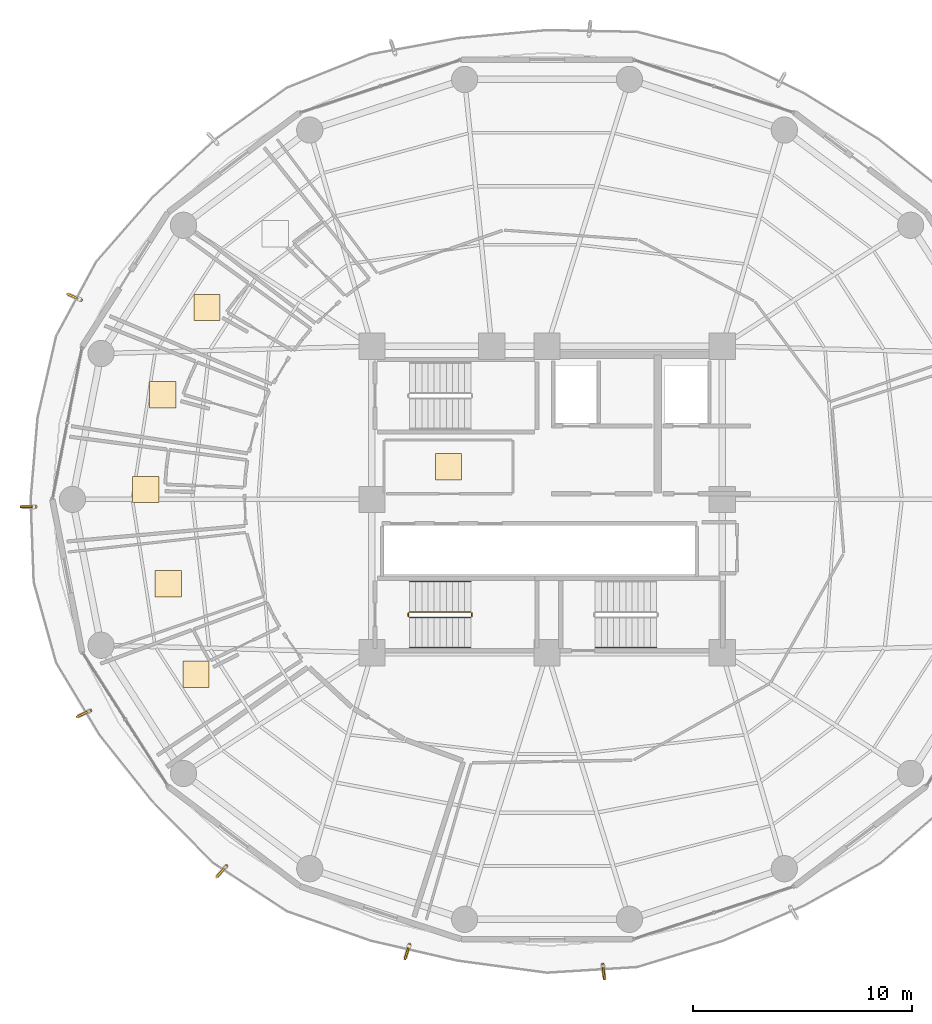
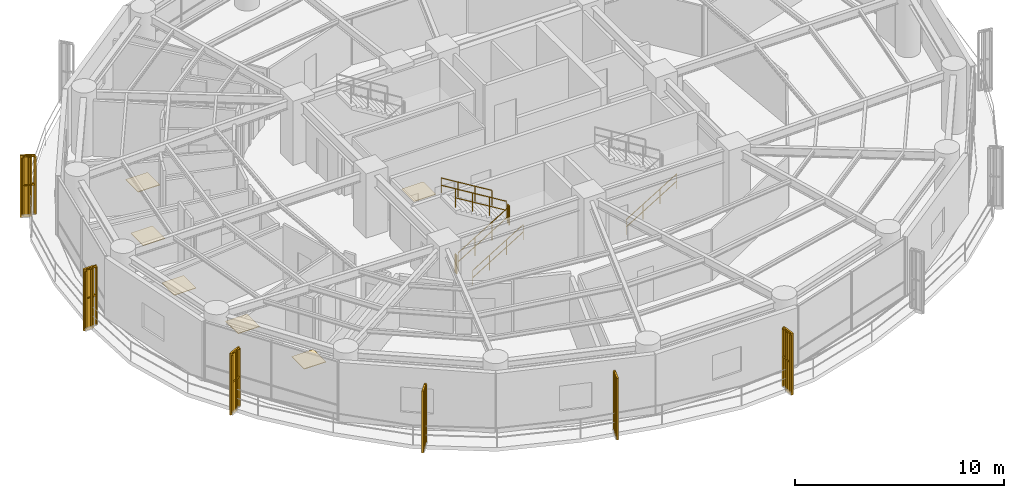
# One storey, part 25 of 27: 13 railings, 6 coverings, 6 shading devices.
"""IFC4 building model written with IfcOpenShell, lengths in metres."""

from ifc_helpers import new_model, si_unit, direction, frame, origin, origin_2d, place, context, subcontext, project, spatial, polyline, rectangle, outline, extrude, source, transform, mapped, material, layer, layer_set, type_object, element, save


model = new_model("IFC4")

# Units and contexts
model_context = context("Model", 3, precision=1e-05, world=origin(), true_north=direction((0.0, 1.0)))
body_context = subcontext(model_context, "Body", "Model", "MODEL_VIEW")
ifc_project = project(units=[si_unit("LENGTHUNIT", "METRE"), si_unit("AREAUNIT", "SQUARE_METRE"), si_unit("VOLUMEUNIT", "CUBIC_METRE"), si_unit("PLANEANGLEUNIT", "RADIAN"), si_unit("MASSUNIT", "GRAM", prefix="KILO")], contexts=[model_context])

# Site, building, storey
site_placement = place(None, origin())
site = spatial("IfcSite", under=ifc_project, at=site_placement, CompositionType="ELEMENT")
building_placement = place(site_placement, origin())
building = spatial("IfcBuilding", under=site, at=building_placement, Name="Kelanora Arch Commons", CompositionType="ELEMENT")
storey_placement = place(building_placement, frame((0.0, 0.0, 169.35009765625)))
storey = spatial("IfcBuildingStorey", under=building, at=storey_placement, Name="L43", CompositionType="ELEMENT", Elevation=169.35009765625)

# Railings
ifc_material_1 = material(Name="Anodised bronze vertical shading fin rib assembly")
railing_type_1 = type_object("IfcRailingType", Name="RAIL-FIN-BRZ", PredefinedType="BALUSTRADE", material=ifc_material_1)
railing_1_placement = place(storey_placement, frame((52.712890625, 67.1123046875, -0.02001953125)))
element("IfcRailing", 1, at=railing_1_placement, inside=storey, type_object=railing_type_1, Name="Sweeping Bronze Vertical Fin Blade L43-07", PredefinedType="BALUSTRADE", context=body_context, shape_type="SweptSolid", body=[
    extrude(outline(polyline([(0.06982421875, 0.0), (0.034912109375, 0.060546875), (-0.034912109375, 0.060546875), (-0.06982421875, 0.0), (-0.034912109375, -0.060546875), (0.034912109375, -0.060546875), (0.06982421875, 0.0)])), frame((0.0, 0.0, 3.419921875), z_axis=(-0.919420554622, 0.393275785853, 0.0), x_axis=(-0.393275785853, -0.919420554622, 0.0)), (0.0, 0.0, 1.0), 0.59521484375),
    extrude(outline(polyline([(0.06982421875, 0.0), (0.034912109375, 0.060546875), (-0.034912109375, 0.060546875), (-0.06982421875, 0.0), (-0.034912109375, -0.060546875), (0.034912109375, -0.060546875), (0.06982421875, 0.0)])), frame((0.0, 0.0, 1.7451171875), z_axis=(-0.919420554622, 0.393275785853, 0.0), x_axis=(-0.393275785853, -0.919420554622, 0.0)), (0.0, 0.0, 1.0), 0.59521484375),
    extrude(outline(polyline([(0.080078125, 0.0), (0.0400390625, 0.0693359375), (-0.0400390625, 0.0693359375), (-0.080078125, 0.0), (-0.0400390625, -0.0693359375), (0.0400390625, -0.0693359375), (0.080078125, 0.0)])), origin(), (0.0, 0.0, 1.0), 3.35009765625),
    extrude(outline(polyline([(0.080078125, 0.0), (0.0400390625, 0.0693359375), (-0.0400390625, 0.0693359375), (-0.080078125, 0.0), (-0.0400390625, -0.0693359375), (0.0400390625, -0.0693359375), (0.080078125, 0.0)])), frame((-0.273681640625, 0.1171875, 0.0)), (0.0, 0.0, 1.0), 3.35009765625),
    extrude(outline(polyline([(0.080078125, 0.0), (0.0400390625, 0.0693359375), (-0.0400390625, 0.0693359375), (-0.080078125, 0.0), (-0.0400390625, -0.0693359375), (0.0400390625, -0.0693359375), (0.080078125, 0.0)])), frame((-0.54736328125, 0.234130859375, 0.0)), (0.0, 0.0, 1.0), 3.35009765625),
])
railing_2_placement = place(storey_placement, frame((50.642578125, 57.6630859375, -0.02001953125)))
element("IfcRailing", 2, at=railing_2_placement, inside=storey, type_object=railing_type_1, Name="Sweeping Bronze Vertical Fin Blade L43-08", PredefinedType="BALUSTRADE", context=body_context, shape_type="SweptSolid", body=[
    extrude(outline(polyline([(0.06982421875, 0.0), (0.034912109375, 0.060546875), (-0.034912109375, 0.060546875), (-0.06982421875, 0.0), (-0.034912109375, -0.060546875), (0.034912109375, -0.060546875), (0.06982421875, 0.0)])), frame((0.0, 0.0, 3.419921875), z_axis=(-0.999902850416, -0.013938785123, 0.0), x_axis=(0.013938785123, -0.999902850416, 0.0)), (0.0, 0.0, 1.0), 0.595458984375),
    extrude(outline(polyline([(0.06982421875, 0.0), (0.034912109375, 0.060546875), (-0.034912109375, 0.060546875), (-0.06982421875, 0.0), (-0.034912109375, -0.060546875), (0.034912109375, -0.060546875), (0.06982421875, 0.0)])), frame((0.0, 0.0, 1.7451171875), z_axis=(-0.999902850416, -0.013938785123, 0.0), x_axis=(0.013938785123, -0.999902850416, 0.0)), (0.0, 0.0, 1.0), 0.595458984375),
    extrude(outline(polyline([(0.080078125, 0.0), (0.0400390625, 0.0693359375), (-0.0400390625, 0.0693359375), (-0.080078125, 0.0), (-0.0400390625, -0.0693359375), (0.0400390625, -0.0693359375), (0.080078125, 0.0)])), origin(), (0.0, 0.0, 1.0), 3.35009765625),
    extrude(outline(polyline([(0.080078125, 0.0), (0.0400390625, 0.0693359375), (-0.0400390625, 0.0693359375), (-0.080078125, 0.0), (-0.0400390625, -0.0693359375), (0.0400390625, -0.0693359375), (0.080078125, 0.0)])), frame((-0.2978515625, -0.004150390625, 0.0)), (0.0, 0.0, 1.0), 3.35009765625),
    extrude(outline(polyline([(0.080078125, 0.0), (0.0400390625, 0.0693359375), (-0.0400390625, 0.0693359375), (-0.080078125, 0.0), (-0.0400390625, -0.0693359375), (0.0400390625, -0.0693359375), (0.080078125, 0.0)])), frame((-0.595458984375, -0.00830078125, 0.0)), (0.0, 0.0, 1.0), 3.35009765625),
])
railing_3_placement = place(storey_placement, frame((53.143310546875, 48.351318359375, -0.02001953125)))
element("IfcRailing", 3, at=railing_3_placement, inside=storey, type_object=railing_type_1, Name="Sweeping Bronze Vertical Fin Blade L43-09", PredefinedType="BALUSTRADE", context=body_context, shape_type="SweptSolid", body=[
    extrude(outline(polyline([(0.06982421875, 0.0), (0.034912109375, 0.060546875), (-0.034912109375, 0.060546875), (-0.06982421875, 0.0), (-0.034912109375, -0.060546875), (0.034912109375, -0.060546875), (0.06982421875, 0.0)])), frame((0.0, 0.0, 3.419921875), z_axis=(-0.907623135978, -0.41978594907, 0.0), x_axis=(0.41978594907, -0.907623135978, 0.0)), (0.0, 0.0, 1.0), 0.595458984375),
    extrude(outline(polyline([(0.06982421875, 0.0), (0.034912109375, 0.060546875), (-0.034912109375, 0.060546875), (-0.06982421875, 0.0), (-0.034912109375, -0.060546875), (0.034912109375, -0.060546875), (0.06982421875, 0.0)])), frame((0.0, 0.0, 1.7451171875), z_axis=(-0.907623135978, -0.41978594907, 0.0), x_axis=(0.41978594907, -0.907623135978, 0.0)), (0.0, 0.0, 1.0), 0.595458984375),
    extrude(outline(polyline([(0.080078125, 0.0), (0.0400390625, 0.0693359375), (-0.0400390625, 0.0693359375), (-0.080078125, 0.0), (-0.0400390625, -0.0693359375), (0.0400390625, -0.0693359375), (0.080078125, 0.0)])), origin(), (0.0, 0.0, 1.0), 3.35009765625),
    extrude(outline(polyline([(0.080078125, 0.0), (0.0400390625, 0.0693359375), (-0.0400390625, 0.0693359375), (-0.080078125, 0.0), (-0.0400390625, -0.0693359375), (0.0400390625, -0.0693359375), (0.080078125, 0.0)])), frame((-0.270263671875, -0.125, 0.0)), (0.0, 0.0, 1.0), 3.35009765625),
    extrude(outline(polyline([(0.080078125, 0.0), (0.0400390625, 0.0693359375), (-0.0400390625, 0.0693359375), (-0.080078125, 0.0), (-0.0400390625, -0.0693359375), (0.0400390625, -0.0693359375), (0.080078125, 0.0)])), frame((-0.54052734375, -0.25, 0.0)), (0.0, 0.0, 1.0), 3.35009765625),
])
railing_4_placement = place(storey_placement, frame((59.3564453125, 41.257568359375, -0.02001953125)))
element("IfcRailing", 4, at=railing_4_placement, inside=storey, type_object=railing_type_1, Name="Sweeping Bronze Vertical Fin Blade L43-10", PredefinedType="BALUSTRADE", context=body_context, shape_type="SweptSolid", body=[
    extrude(outline(polyline([(0.06982421875, 0.0), (0.034912109375, 0.060546875), (-0.034912109375, 0.060546875), (-0.06982421875, 0.0), (-0.034912109375, -0.060546875), (0.034912109375, -0.060546875), (0.06982421875, 0.0)])), frame((0.0, 0.0, 3.419921875), z_axis=(-0.658185389777, -0.752855891047, 0.0), x_axis=(0.752855891047, -0.658185389777, 0.0)), (0.0, 0.0, 1.0), 0.595703125),
    extrude(outline(polyline([(0.06982421875, 0.0), (0.034912109375, 0.060546875), (-0.034912109375, 0.060546875), (-0.06982421875, 0.0), (-0.034912109375, -0.060546875), (0.034912109375, -0.060546875), (0.06982421875, 0.0)])), frame((0.0, 0.0, 1.7451171875), z_axis=(-0.658185389777, -0.752855891047, 0.0), x_axis=(0.752855891047, -0.658185389777, 0.0)), (0.0, 0.0, 1.0), 0.595703125),
    extrude(outline(polyline([(0.080078125, 0.0), (0.0400390625, 0.0693359375), (-0.0400390625, 0.0693359375), (-0.080078125, 0.0), (-0.0400390625, -0.0693359375), (0.0400390625, -0.0693359375), (0.080078125, 0.0)])), origin(), (0.0, 0.0, 1.0), 3.35009765625),
    extrude(outline(polyline([(0.080078125, 0.0), (0.0400390625, 0.0693359375), (-0.0400390625, 0.0693359375), (-0.080078125, 0.0), (-0.0400390625, -0.0693359375), (0.0400390625, -0.0693359375), (0.080078125, 0.0)])), frame((-0.196044921875, -0.22412109375, 0.0)), (0.0, 0.0, 1.0), 3.35009765625),
    extrude(outline(polyline([(0.080078125, 0.0), (0.0400390625, 0.0693359375), (-0.0400390625, 0.0693359375), (-0.080078125, 0.0), (-0.0400390625, -0.0693359375), (0.0400390625, -0.0693359375), (0.080078125, 0.0)])), frame((-0.39208984375, -0.448486328125, 0.0)), (0.0, 0.0, 1.0), 3.35009765625),
])
railing_5_placement = place(storey_placement, frame((67.715087890625, 37.6640625, -0.02001953125)))
element("IfcRailing", 5, at=railing_5_placement, inside=storey, type_object=railing_type_1, Name="Sweeping Bronze Vertical Fin Blade L43-11", PredefinedType="BALUSTRADE", context=body_context, shape_type="SweptSolid", body=[
    extrude(outline(polyline([(0.06982421875, 0.0), (0.034912109375, 0.060546875), (-0.034912109375, 0.060546875), (-0.06982421875, 0.0), (-0.034912109375, -0.060546875), (0.034912109375, -0.060546875), (0.06982421875, 0.0)])), frame((0.0, 0.0, 3.419921875), z_axis=(-0.295122592988, -0.955459394798, 0.0), x_axis=(0.955459394798, -0.295122592988, 0.0)), (0.0, 0.0, 1.0), 0.595703125),
    extrude(outline(polyline([(0.06982421875, 0.0), (0.034912109375, 0.060546875), (-0.034912109375, 0.060546875), (-0.06982421875, 0.0), (-0.034912109375, -0.060546875), (0.034912109375, -0.060546875), (0.06982421875, 0.0)])), frame((0.0, 0.0, 1.7451171875), z_axis=(-0.295122592988, -0.955459394798, 0.0), x_axis=(0.955459394798, -0.295122592988, 0.0)), (0.0, 0.0, 1.0), 0.595703125),
    extrude(outline(polyline([(0.080078125, 0.0), (0.0400390625, 0.0693359375), (-0.0400390625, 0.0693359375), (-0.080078125, 0.0), (-0.0400390625, -0.0693359375), (0.0400390625, -0.0693359375), (0.080078125, 0.0)])), origin(), (0.0, 0.0, 1.0), 3.35009765625),
    extrude(outline(polyline([(0.080078125, 0.0), (0.0400390625, 0.0693359375), (-0.0400390625, 0.0693359375), (-0.080078125, 0.0), (-0.0400390625, -0.0693359375), (0.0400390625, -0.0693359375), (0.080078125, 0.0)])), frame((-0.087890625, -0.28466796875, 0.0)), (0.0, 0.0, 1.0), 3.35009765625),
    extrude(outline(polyline([(0.080078125, 0.0), (0.0400390625, 0.0693359375), (-0.0400390625, 0.0693359375), (-0.080078125, 0.0), (-0.0400390625, -0.0693359375), (0.0400390625, -0.0693359375), (0.080078125, 0.0)])), frame((-0.17578125, -0.569091796875, 0.0)), (0.0, 0.0, 1.0), 3.35009765625),
])
railing_6_placement = place(storey_placement, frame((76.5419921875, 36.763427734375, -0.02001953125)))
element("IfcRailing", 6, at=railing_6_placement, inside=storey, type_object=railing_type_1, Name="Sweeping Bronze Vertical Fin Blade L43-12", PredefinedType="BALUSTRADE", context=body_context, shape_type="SweptSolid", body=[
    extrude(outline(polyline([(0.06982421875, 0.0), (0.034912109375, 0.060546875), (-0.034912109375, 0.060546875), (-0.06982421875, 0.0), (-0.034912109375, -0.060546875), (0.034912109375, -0.060546875), (0.06982421875, 0.0)])), frame((0.0, 0.0, 3.419921875), z_axis=(0.118886570713, -0.992907842302, 0.0), x_axis=(0.992907842302, 0.118886570713, 0.0)), (0.0, 0.0, 1.0), 0.595458984375),
    extrude(outline(polyline([(0.06982421875, 0.0), (0.034912109375, 0.060546875), (-0.034912109375, 0.060546875), (-0.06982421875, 0.0), (-0.034912109375, -0.060546875), (0.034912109375, -0.060546875), (0.06982421875, 0.0)])), frame((0.0, 0.0, 1.7451171875), z_axis=(0.118886570713, -0.992907842302, 0.0), x_axis=(0.992907842302, 0.118886570713, 0.0)), (0.0, 0.0, 1.0), 0.595458984375),
    extrude(outline(polyline([(0.080078125, 0.0), (0.0400390625, 0.0693359375), (-0.0400390625, 0.0693359375), (-0.080078125, 0.0), (-0.0400390625, -0.0693359375), (0.0400390625, -0.0693359375), (0.080078125, 0.0)])), origin(), (0.0, 0.0, 1.0), 3.35009765625),
    extrude(outline(polyline([(0.080078125, 0.0), (0.0400390625, 0.0693359375), (-0.0400390625, 0.0693359375), (-0.080078125, 0.0), (-0.0400390625, -0.0693359375), (0.0400390625, -0.0693359375), (0.080078125, 0.0)])), frame((0.035400390625, -0.295654296875, 0.0)), (0.0, 0.0, 1.0), 3.35009765625),
    extrude(outline(polyline([(0.080078125, 0.0), (0.0400390625, 0.0693359375), (-0.0400390625, 0.0693359375), (-0.080078125, 0.0), (-0.0400390625, -0.0693359375), (0.0400390625, -0.0693359375), (0.080078125, 0.0)])), frame((0.07080078125, -0.59130859375, 0.0)), (0.0, 0.0, 1.0), 3.35009765625),
])
ifc_material_2 = material(Name="Painted steel stair well guard", Category="steel")
railing_type_2 = type_object("IfcRailingType", Name="RAIL-STAIR-GRD", PredefinedType="GUARDRAIL", material=ifc_material_2)
railing_7_placement = place(storey_placement, frame((67.719970703125, 52.610107421875, 0.17041015625)))
element("IfcRailing", 7, at=railing_7_placement, inside=storey, type_object=railing_type_2, Name="L43 ST-T3 stair guard 1", PredefinedType="GUARDRAIL", context=body_context, shape_type="SweptSolid", body=[
    extrude(outline(polyline([(0.02392578125, 0.0), (0.011962890625, 0.020751953125), (-0.011962890625, 0.020751953125), (-0.02392578125, 0.0), (-0.011962890625, -0.020751953125), (0.011962890625, -0.020751953125), (0.02392578125, 0.0)])), frame((0.0, 0.0, 1.076171875), z_axis=(0.854169791009, 0.0, 0.51999420009), x_axis=(0.0, 1.0, 0.0)), (0.0, 0.0, 1.0), 3.278076171875),
    extrude(outline(polyline([(0.02392578125, 0.0), (0.011962890625, 0.020751953125), (-0.011962890625, 0.020751953125), (-0.02392578125, 0.0), (-0.011962890625, -0.020751953125), (0.011962890625, -0.020751953125), (0.02392578125, 0.0)])), frame((0.0, 0.0, 0.550048828125), z_axis=(0.854169791009, 0.0, 0.51999420009), x_axis=(0.0, 1.0, 0.0)), (0.0, 0.0, 1.0), 3.278076171875),
    extrude(outline(polyline([(0.02099609375, 0.0), (0.010498046875, 0.01806640625), (-0.010498046875, 0.01806640625), (-0.02099609375, 0.0), (-0.010498046875, -0.01806640625), (0.010498046875, -0.01806640625), (0.02099609375, 0.0)])), origin(), (0.0, 0.0, 1.0), 1.052001953125),
    extrude(outline(polyline([(0.02099609375, 0.0), (0.010498046875, 0.01806640625), (-0.010498046875, 0.01806640625), (-0.02099609375, 0.0), (-0.010498046875, -0.01806640625), (0.010498046875, -0.01806640625), (0.02099609375, 0.0)])), frame((0.933349609375, 0.0, 0.568115234375)), (0.0, 0.0, 1.0), 1.052001953125),
    extrude(outline(polyline([(0.02099609375, 0.0), (0.010498046875, 0.01806640625), (-0.010498046875, 0.01806640625), (-0.02099609375, 0.0), (-0.010498046875, -0.01806640625), (0.010498046875, -0.01806640625), (0.02099609375, 0.0)])), frame((1.86669921875, 0.0, 1.136474609375)), (0.0, 0.0, 1.0), 1.052001953125),
    extrude(outline(polyline([(0.02099609375, 0.0), (0.010498046875, 0.01806640625), (-0.010498046875, 0.01806640625), (-0.02099609375, 0.0), (-0.010498046875, -0.01806640625), (0.010498046875, -0.01806640625), (0.02099609375, 0.0)])), frame((2.800048828125, 0.0, 1.70458984375)), (0.0, 0.0, 1.0), 1.052001953125),
])
railing_8_placement = place(storey_placement, frame((70.570068359375, 52.659912109375, 1.875)))
element("IfcRailing", 8, at=railing_8_placement, inside=storey, type_object=railing_type_2, Name="L43 ST-T3 stair guard 2", PredefinedType="GUARDRAIL", context=body_context, shape_type="SweptSolid", body=[
    extrude(outline(polyline([(0.02392578125, 0.0), (0.011962890625, 0.020751953125), (-0.011962890625, 0.020751953125), (-0.02392578125, 0.0), (-0.011962890625, -0.020751953125), (0.011962890625, -0.020751953125), (0.02392578125, 0.0)])), frame((0.0, 0.0, 1.076171875), z_axis=(0.0, 1.0, 0.0), x_axis=(-1.0, 0.0, 0.0)), (0.0, 0.0, 1.0), 0.150146484375),
    extrude(outline(polyline([(0.02392578125, 0.0), (0.011962890625, 0.020751953125), (-0.011962890625, 0.020751953125), (-0.02392578125, 0.0), (-0.011962890625, -0.020751953125), (0.011962890625, -0.020751953125), (0.02392578125, 0.0)])), frame((0.0, 0.0, 0.550048828125), z_axis=(0.0, 1.0, 0.0), x_axis=(-1.0, 0.0, 0.0)), (0.0, 0.0, 1.0), 0.150146484375),
    extrude(outline(polyline([(0.02099609375, 0.0), (0.010498046875, 0.01806640625), (-0.010498046875, 0.01806640625), (-0.02099609375, 0.0), (-0.010498046875, -0.01806640625), (0.010498046875, -0.01806640625), (0.02099609375, 0.0)])), origin(), (0.0, 0.0, 1.0), 1.052001953125),
    extrude(outline(polyline([(0.02099609375, 0.0), (0.010498046875, 0.01806640625), (-0.010498046875, 0.01806640625), (-0.02099609375, 0.0), (-0.010498046875, -0.01806640625), (0.010498046875, -0.01806640625), (0.02099609375, 0.0)])), frame((0.0, 0.150146484375, 0.0)), (0.0, 0.0, 1.0), 1.052001953125),
])
railing_9_placement = place(storey_placement, frame((70.52001953125, 52.860107421875, 2.04541015625)))
element("IfcRailing", 9, at=railing_9_placement, inside=storey, type_object=railing_type_2, Name="L43 ST-T3 stair guard 3", PredefinedType="GUARDRAIL", context=body_context, shape_type="SweptSolid", body=[
    extrude(outline(polyline([(0.02392578125, 0.0), (0.011962890625, 0.020751953125), (-0.011962890625, 0.020751953125), (-0.02392578125, 0.0), (-0.011962890625, -0.020751953125), (0.011962890625, -0.020751953125), (0.02392578125, 0.0)])), frame((0.0, 0.0, 1.076171875), z_axis=(-0.854169791009, 0.0, 0.51999420009), x_axis=(0.0, -1.0, 0.0)), (0.0, 0.0, 1.0), 3.278076171875),
    extrude(outline(polyline([(0.02392578125, 0.0), (0.011962890625, 0.020751953125), (-0.011962890625, 0.020751953125), (-0.02392578125, 0.0), (-0.011962890625, -0.020751953125), (0.011962890625, -0.020751953125), (0.02392578125, 0.0)])), frame((0.0, 0.0, 0.550048828125), z_axis=(-0.854169791009, 0.0, 0.51999420009), x_axis=(0.0, -1.0, 0.0)), (0.0, 0.0, 1.0), 3.278076171875),
    extrude(outline(polyline([(0.02099609375, 0.0), (0.010498046875, 0.01806640625), (-0.010498046875, 0.01806640625), (-0.02099609375, 0.0), (-0.010498046875, -0.01806640625), (0.010498046875, -0.01806640625), (0.02099609375, 0.0)])), origin(), (0.0, 0.0, 1.0), 1.052001953125),
    extrude(outline(polyline([(0.02099609375, 0.0), (0.010498046875, 0.01806640625), (-0.010498046875, 0.01806640625), (-0.02099609375, 0.0), (-0.010498046875, -0.01806640625), (0.010498046875, -0.01806640625), (0.02099609375, 0.0)])), frame((-0.933349609375, 0.0, 0.568115234375)), (0.0, 0.0, 1.0), 1.052001953125),
    extrude(outline(polyline([(0.02099609375, 0.0), (0.010498046875, 0.01806640625), (-0.010498046875, 0.01806640625), (-0.02099609375, 0.0), (-0.010498046875, -0.01806640625), (0.010498046875, -0.01806640625), (0.02099609375, 0.0)])), frame((-1.86669921875, 0.0, 1.136474609375)), (0.0, 0.0, 1.0), 1.052001953125),
    extrude(outline(polyline([(0.02099609375, 0.0), (0.010498046875, 0.01806640625), (-0.010498046875, 0.01806640625), (-0.02099609375, 0.0), (-0.010498046875, -0.01806640625), (0.010498046875, -0.01806640625), (0.02099609375, 0.0)])), frame((-2.800048828125, 0.0, 1.70458984375)), (0.0, 0.0, 1.0), 1.052001953125),
])
railing_10_placement = place(storey_placement, frame((67.669921875, 52.659912109375, 0.0)))
element("IfcRailing", 10, at=railing_10_placement, inside=storey, type_object=railing_type_2, Name="L43 ST-T3 stair guard 4", PredefinedType="GUARDRAIL", context=body_context, shape_type="SweptSolid", body=[
    extrude(outline(polyline([(0.02392578125, 0.0), (0.011962890625, 0.020751953125), (-0.011962890625, 0.020751953125), (-0.02392578125, 0.0), (-0.011962890625, -0.020751953125), (0.011962890625, -0.020751953125), (0.02392578125, 0.0)])), frame((0.0, 0.0, 1.076171875), z_axis=(0.0, 1.0, 0.0), x_axis=(-1.0, 0.0, 0.0)), (0.0, 0.0, 1.0), 0.150146484375),
    extrude(outline(polyline([(0.02392578125, 0.0), (0.011962890625, 0.020751953125), (-0.011962890625, 0.020751953125), (-0.02392578125, 0.0), (-0.011962890625, -0.020751953125), (0.011962890625, -0.020751953125), (0.02392578125, 0.0)])), frame((0.0, 0.0, 0.550048828125), z_axis=(0.0, 1.0, 0.0), x_axis=(-1.0, 0.0, 0.0)), (0.0, 0.0, 1.0), 0.150146484375),
    extrude(outline(polyline([(0.02099609375, 0.0), (0.010498046875, 0.01806640625), (-0.010498046875, 0.01806640625), (-0.02099609375, 0.0), (-0.010498046875, -0.01806640625), (0.010498046875, -0.01806640625), (0.02099609375, 0.0)])), origin(), (0.0, 0.0, 1.0), 1.052001953125),
    extrude(outline(polyline([(0.02099609375, 0.0), (0.010498046875, 0.01806640625), (-0.010498046875, 0.01806640625), (-0.02099609375, 0.0), (-0.010498046875, -0.01806640625), (0.010498046875, -0.01806640625), (0.02099609375, 0.0)])), frame((0.0, 0.150146484375, 0.0)), (0.0, 0.0, 1.0), 1.052001953125),
])
ifc_material_3 = material(Name="Brushed stainless steel stair handrail", Category="steel")
railing_type_3 = type_object("IfcRailingType", Name="RAIL-STAIR-HND", PredefinedType="HANDRAIL", material=ifc_material_3)
railing_11_placement = place(storey_placement, frame((76.199951171875, 51.22998046875, 0.17041015625)))
element("IfcRailing", 11, at=railing_11_placement, inside=storey, type_object=railing_type_3, Name="L43 ST-T2 stair handrail 1", PredefinedType="HANDRAIL", context=body_context, shape_type="SweptSolid", body=[
    extrude(outline(polyline([(0.02392578125, 0.0), (0.011962890625, 0.020751953125), (-0.011962890625, 0.020751953125), (-0.02392578125, 0.0), (-0.011962890625, -0.020751953125), (0.011962890625, -0.020751953125), (0.02392578125, 0.0)])), frame((0.0, 0.0, 0.8759765625), z_axis=(0.854169791009, 0.0, 0.51999420009), x_axis=(0.0, 1.0, 0.0)), (0.0, 0.0, 1.0), 3.278076171875),
    extrude(outline(polyline([(0.02392578125, 0.0), (0.011962890625, 0.020751953125), (-0.011962890625, 0.020751953125), (-0.02392578125, 0.0), (-0.011962890625, -0.020751953125), (0.011962890625, -0.020751953125), (0.02392578125, 0.0)])), frame((0.0, 0.0, 0.449951171875), z_axis=(0.854169791009, 0.0, 0.51999420009), x_axis=(0.0, 1.0, 0.0)), (0.0, 0.0, 1.0), 3.278076171875),
    extrude(outline(polyline([(0.02099609375, 0.0), (0.010498046875, 0.01806640625), (-0.010498046875, 0.01806640625), (-0.02099609375, 0.0), (-0.010498046875, -0.01806640625), (0.010498046875, -0.01806640625), (0.02099609375, 0.0)])), origin(), (0.0, 0.0, 1.0), 0.851806640625),
    extrude(outline(polyline([(0.02099609375, 0.0), (0.010498046875, 0.01806640625), (-0.010498046875, 0.01806640625), (-0.02099609375, 0.0), (-0.010498046875, -0.01806640625), (0.010498046875, -0.01806640625), (0.02099609375, 0.0)])), frame((0.933349609375, 0.0, 0.568115234375)), (0.0, 0.0, 1.0), 0.851806640625),
    extrude(outline(polyline([(0.02099609375, 0.0), (0.010498046875, 0.01806640625), (-0.010498046875, 0.01806640625), (-0.02099609375, 0.0), (-0.010498046875, -0.01806640625), (0.010498046875, -0.01806640625), (0.02099609375, 0.0)])), frame((1.86669921875, 0.0, 1.136474609375)), (0.0, 0.0, 1.0), 0.851806640625),
    extrude(outline(polyline([(0.02099609375, 0.0), (0.010498046875, 0.01806640625), (-0.010498046875, 0.01806640625), (-0.02099609375, 0.0), (-0.010498046875, -0.01806640625), (0.010498046875, -0.01806640625), (0.02099609375, 0.0)])), frame((2.800048828125, 0.0, 1.70458984375)), (0.0, 0.0, 1.0), 0.851806640625),
])
railing_12_placement = place(storey_placement, frame((67.719970703125, 51.22998046875, 0.17041015625)))
element("IfcRailing", 12, at=railing_12_placement, inside=storey, type_object=railing_type_3, Name="L43 ST-T3 stair handrail 1", PredefinedType="HANDRAIL", context=body_context, shape_type="SweptSolid", body=[
    extrude(outline(polyline([(0.02392578125, 0.0), (0.011962890625, 0.020751953125), (-0.011962890625, 0.020751953125), (-0.02392578125, 0.0), (-0.011962890625, -0.020751953125), (0.011962890625, -0.020751953125), (0.02392578125, 0.0)])), frame((0.0, 0.0, 0.8759765625), z_axis=(0.854169791009, 0.0, 0.51999420009), x_axis=(0.0, 1.0, 0.0)), (0.0, 0.0, 1.0), 3.278076171875),
    extrude(outline(polyline([(0.02392578125, 0.0), (0.011962890625, 0.020751953125), (-0.011962890625, 0.020751953125), (-0.02392578125, 0.0), (-0.011962890625, -0.020751953125), (0.011962890625, -0.020751953125), (0.02392578125, 0.0)])), frame((0.0, 0.0, 0.449951171875), z_axis=(0.854169791009, 0.0, 0.51999420009), x_axis=(0.0, 1.0, 0.0)), (0.0, 0.0, 1.0), 3.278076171875),
    extrude(outline(polyline([(0.02099609375, 0.0), (0.010498046875, 0.01806640625), (-0.010498046875, 0.01806640625), (-0.02099609375, 0.0), (-0.010498046875, -0.01806640625), (0.010498046875, -0.01806640625), (0.02099609375, 0.0)])), origin(), (0.0, 0.0, 1.0), 0.851806640625),
    extrude(outline(polyline([(0.02099609375, 0.0), (0.010498046875, 0.01806640625), (-0.010498046875, 0.01806640625), (-0.02099609375, 0.0), (-0.010498046875, -0.01806640625), (0.010498046875, -0.01806640625), (0.02099609375, 0.0)])), frame((0.933349609375, 0.0, 0.568115234375)), (0.0, 0.0, 1.0), 0.851806640625),
    extrude(outline(polyline([(0.02099609375, 0.0), (0.010498046875, 0.01806640625), (-0.010498046875, 0.01806640625), (-0.02099609375, 0.0), (-0.010498046875, -0.01806640625), (0.010498046875, -0.01806640625), (0.02099609375, 0.0)])), frame((1.86669921875, 0.0, 1.136474609375)), (0.0, 0.0, 1.0), 0.851806640625),
    extrude(outline(polyline([(0.02099609375, 0.0), (0.010498046875, 0.01806640625), (-0.010498046875, 0.01806640625), (-0.02099609375, 0.0), (-0.010498046875, -0.01806640625), (0.010498046875, -0.01806640625), (0.02099609375, 0.0)])), frame((2.800048828125, 0.0, 1.70458984375)), (0.0, 0.0, 1.0), 0.851806640625),
])
railing_13_placement = place(storey_placement, frame((70.52001953125, 54.239990234375, 2.04541015625)))
element("IfcRailing", 13, at=railing_13_placement, inside=storey, type_object=railing_type_3, Name="L43 ST-T3 stair handrail 2", PredefinedType="HANDRAIL", context=body_context, shape_type="SweptSolid", body=[
    extrude(outline(polyline([(0.02392578125, 0.0), (0.011962890625, 0.020751953125), (-0.011962890625, 0.020751953125), (-0.02392578125, 0.0), (-0.011962890625, -0.020751953125), (0.011962890625, -0.020751953125), (0.02392578125, 0.0)])), frame((0.0, 0.0, 0.8759765625), z_axis=(-0.854169791009, 0.0, 0.51999420009), x_axis=(0.0, -1.0, 0.0)), (0.0, 0.0, 1.0), 3.278076171875),
    extrude(outline(polyline([(0.02392578125, 0.0), (0.011962890625, 0.020751953125), (-0.011962890625, 0.020751953125), (-0.02392578125, 0.0), (-0.011962890625, -0.020751953125), (0.011962890625, -0.020751953125), (0.02392578125, 0.0)])), frame((0.0, 0.0, 0.449951171875), z_axis=(-0.854169791009, 0.0, 0.51999420009), x_axis=(0.0, -1.0, 0.0)), (0.0, 0.0, 1.0), 3.278076171875),
    extrude(outline(polyline([(0.02099609375, 0.0), (0.010498046875, 0.01806640625), (-0.010498046875, 0.01806640625), (-0.02099609375, 0.0), (-0.010498046875, -0.01806640625), (0.010498046875, -0.01806640625), (0.02099609375, 0.0)])), origin(), (0.0, 0.0, 1.0), 0.851806640625),
    extrude(outline(polyline([(0.02099609375, 0.0), (0.010498046875, 0.01806640625), (-0.010498046875, 0.01806640625), (-0.02099609375, 0.0), (-0.010498046875, -0.01806640625), (0.010498046875, -0.01806640625), (0.02099609375, 0.0)])), frame((-0.933349609375, 0.0, 0.568115234375)), (0.0, 0.0, 1.0), 0.851806640625),
    extrude(outline(polyline([(0.02099609375, 0.0), (0.010498046875, 0.01806640625), (-0.010498046875, 0.01806640625), (-0.02099609375, 0.0), (-0.010498046875, -0.01806640625), (0.010498046875, -0.01806640625), (0.02099609375, 0.0)])), frame((-1.86669921875, 0.0, 1.136474609375)), (0.0, 0.0, 1.0), 0.851806640625),
    extrude(outline(polyline([(0.02099609375, 0.0), (0.010498046875, 0.01806640625), (-0.010498046875, 0.01806640625), (-0.02099609375, 0.0), (-0.010498046875, -0.01806640625), (0.010498046875, -0.01806640625), (0.02099609375, 0.0)])), frame((-2.800048828125, 0.0, 1.70458984375)), (0.0, 0.0, 1.0), 0.851806640625),
])

# Shading devices
ifc_material_4 = material(Name="Terracotta ceramic-clad extruded aluminium fin", Category="masonry")
shading_device_type = type_object("IfcShadingDeviceType", Name="SHD-FIN-WAIST", PredefinedType="USERDEFINED", material=ifc_material_4)
shared_shape_1 = source(origin(), body_context, "Body", "SweptSolid", [
    extrude(rectangle(XDim=0.56005859375, YDim=0.090087890625, at=origin_2d()), origin(), (0.0, 0.0, 1.0), 3.610107421875),
])
for number, where, z_axis, x_axis, name in (
    (14, (52.310546875, 67.284423828125, -0.14013671875), (0.0, 0.0, 1.0), (-0.919341480754, 0.393460597474, 0.0), "Sweeping Terracotta Fin L43-07"),
    (15, (50.204833984375, 57.656982421875, -0.14013671875), (0.0, 0.0, 1.0), (-0.999895076365, -0.014485726139, 0.0), "Sweeping Terracotta Fin L43-08"),
    (16, (52.745849609375, 48.16748046875, -0.14013671875), (0.0, 0.0, 1.0), (-0.90755772951, -0.419927336103, 0.0), "Sweeping Terracotta Fin L43-09"),
    (17, (59.068359375, 40.927978515625, -0.14013671875), (0.0, 0.0, 1.0), (-0.65829540632, -0.752759694735, 0.0), "Sweeping Terracotta Fin L43-10"),
    (18, (67.585693359375, 37.24560546875, -0.14013671875), (0.0, 0.0, 1.0), (-0.295207826951, -0.955433063541, 0.0), "Sweeping Terracotta Fin L43-11"),
    (19, (76.593994140625, 36.32861328125, -0.14013671875), (0.0, 0.0, 1.0), (0.118923867576, -0.992903375823, 0.0), "Sweeping Terracotta Fin L43-12"),
):
    element("IfcShadingDevice", number, at=place(storey_placement, frame(where, z_axis=z_axis, x_axis=x_axis)), inside=storey, type_object=shading_device_type, Name=name, ObjectType="FIN", PredefinedType="USERDEFINED", context=body_context, shape_type="MappedRepresentation", body=[
        mapped(shared_shape_1, transform((0.0, 0.0, 0.0), scale=1.0)),
    ])

# Coverings
ifc_material_5 = material(Name="Polished local granite terrazzo flooring", Category="masonry")
ifc_layer = layer(ifc_material_5, 0.030029296875)
ifc_layer_set = layer_set([ifc_layer], Name="Polished local granite terrazzo flooring")
covering_type = type_object("IfcCoveringType", Name="COV-FLR-TER", PredefinedType="FLOORING", material=ifc_layer_set)
shared_shape_2 = source(origin(), body_context, "Body", "SweptSolid", [
    extrude(rectangle(XDim=1.199951171875, YDim=1.199951171875, at=origin_2d()), origin(), (0.0, 0.0, 1.0), 0.030029296875),
])
for number, where, z_axis, x_axis, name in (
    (20, (69.5, 59.485107421875, 0.0), (0.0, 0.0, 1.0), (1.0, 0.0, 0.0), "Reclaimed Core Study Pod Lounge L43 Terrazzo Finish"),
    (21, (58.466064453125, 66.76611328125, 0.0), (0.0, 0.0, 1.0), (1.0, 0.0, 0.0), "Cluster Bedroom L43-02 Terrazzo Finish"),
    (22, (56.449462890625, 62.7763671875, 0.0), (0.0, 0.0, 1.0), (1.0, 0.0, 0.0), "Cluster Bedroom L43-03 Terrazzo Finish"),
    (23, (55.6708984375, 58.44970703125, 0.0), (0.0, 0.0, 1.0), (1.0, 0.0, 0.0), "Cluster Bedroom L43-04 Terrazzo Finish"),
    (24, (56.6982421875, 54.1474609375, 0.0), (0.0, 0.0, 1.0), (1.0, 0.0, 0.0), "Shared Cluster Kitchen L43-05 Terrazzo Finish"),
    (25, (57.958984375, 50.0078125, 0.0), (0.0, 0.0, 1.0), (1.0, 0.0, 0.0), "Cluster Bedroom L43-06 Terrazzo Finish"),
):
    element("IfcCovering", number, at=place(storey_placement, frame(where, z_axis=z_axis, x_axis=x_axis)), inside=storey, type_object=covering_type, Name=name, PredefinedType="FLOORING", context=body_context, shape_type="MappedRepresentation", body=[
        mapped(shared_shape_2, transform((0.0, 0.0, 0.0), scale=1.0)),
    ])

save(model, "model.ifc")
